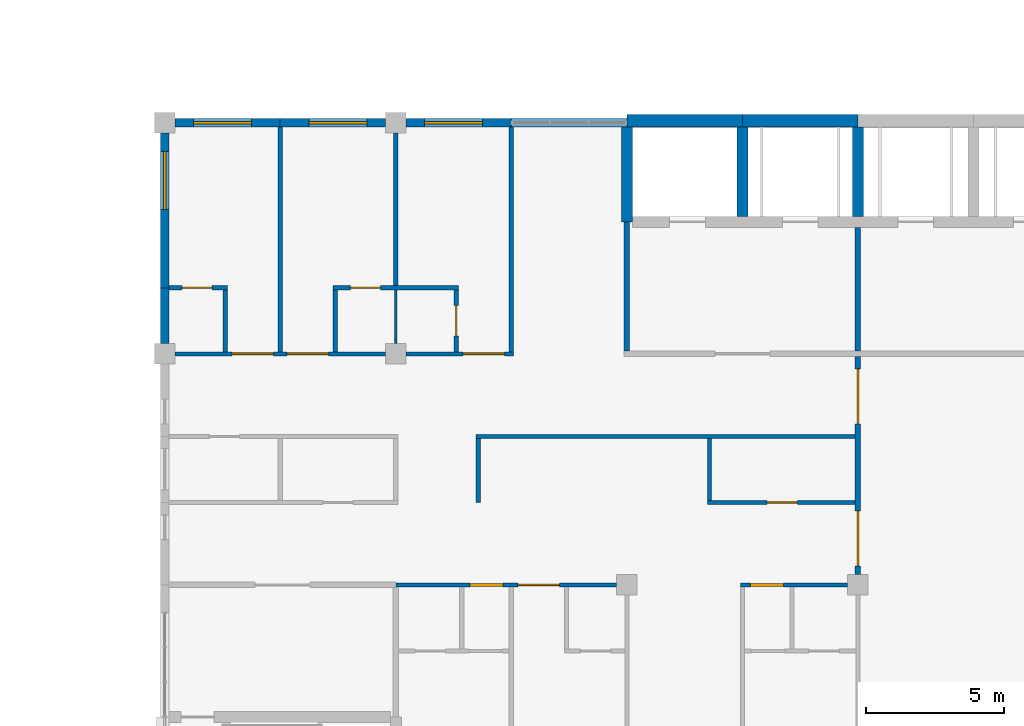
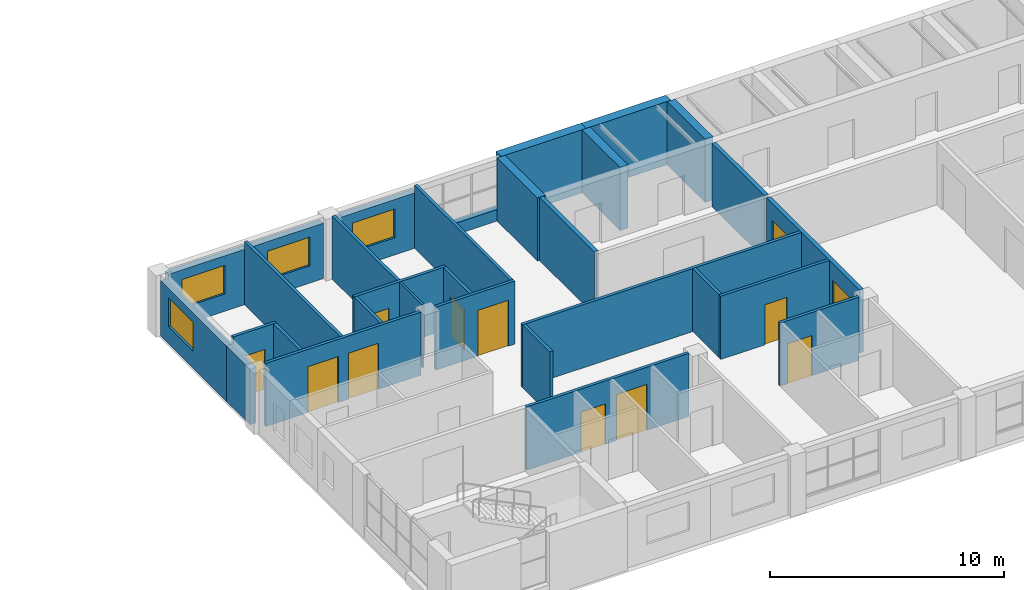
# One storey, part 33 of 48: 31 walls, 12 doors, 4 windows, 16 openings.
"""IFC4 building model written with IfcOpenShell, lengths in metres."""

from ifc_helpers import new_model, si_unit, direction, frame, frame_2d, origin, place, context, subcontext, project, spatial, rectangle, extrude, material, layer, layer_set, type_object, element, fill, save


model = new_model("IFC4")

# Units and contexts
model_context = context("Model", 3, precision=1e-05, world=origin(), true_north=direction((0.0, 1.0)))
body_context = subcontext(model_context, "Body", "Model", "MODEL_VIEW")
ifc_project = project(units=[si_unit("LENGTHUNIT", "METRE"), si_unit("AREAUNIT", "SQUARE_METRE"), si_unit("VOLUMEUNIT", "CUBIC_METRE"), si_unit("PLANEANGLEUNIT", "RADIAN"), si_unit("MASSUNIT", "GRAM", prefix="KILO")], contexts=[model_context])

# Site, building, storey
site_placement = place(None, origin())
site = spatial("IfcSite", under=ifc_project, at=site_placement, CompositionType="ELEMENT")
building_placement = place(site_placement, origin())
building = spatial("IfcBuilding", under=site, at=building_placement, Name="Yavir Park General Hospital", CompositionType="ELEMENT")
storey_placement = place(building_placement, frame((0.0, 0.0, 26.10009765625)))
storey = spatial("IfcBuildingStorey", under=building, at=storey_placement, Name="L06", CompositionType="ELEMENT", Elevation=26.10009765625)

# Wall
ifc_material_1 = material(Name="Double gypsum board fire partition on steel studs", Category="steel")
ifc_layer_1 = layer(ifc_material_1, 0.199951171875)
ifc_layer_set_1 = layer_set([ifc_layer_1], Name="Double gypsum board fire partition on steel studs")
wall_type_1 = type_object("IfcWallType", Name="Fire-rated partition 200, EI 60", PredefinedType="PARTITIONING", material=ifc_layer_set_1)
wall_1_placement = place(storey_placement, frame((117.60009765625, 16.89990234375, 0.0), z_axis=(0.0, 0.0, 1.0), x_axis=(0.0, 1.0, 0.0)))
element("IfcWall", 1, at=wall_1_placement, inside=storey, type_object=wall_type_1, Name="FP20 L06-225", PredefinedType="PARTITIONING", context=body_context, shape_type="SweptSolid", body=[
    extrude(rectangle(XDim=4.7001953125, YDim=0.199951171875, at=frame_2d((2.35009765625, 0.0))), origin(), (0.0, 0.0, 1.0), 3.2998046875),
])

# Wall, openings, doors
wall_2_placement = place(storey_placement, frame((126.0, 8.77490234375, 0.0), z_axis=(0.0, 0.0, 1.0), x_axis=(0.0, 1.0, 0.0)))
wall_2 = element("IfcWall", 2, at=wall_2_placement, inside=storey, type_object=wall_type_1, Name="FP20 L06-232", PredefinedType="PARTITIONING", context=body_context, shape_type="SweptSolid", body=[
    extrude(rectangle(XDim=7.925048828125, YDim=0.199951171875, at=frame_2d((3.96240234375, 0.0))), origin(), (0.0, 0.0, 1.0), 3.2998046875),
])
opening_1_placement = place(wall_2_placement, frame((0.3125, 0.0, 0.0)))
opening_1 = element("IfcOpeningElement", 3, at=opening_1_placement, cuts=wall_2, Name="Opening L06.D141", PredefinedType="OPENING", context=body_context, shape_type="SweptSolid", body=[
    extrude(rectangle(XDim=2.0, YDim=2.39990234375, at=frame_2d((1.0, 1.199951171875))), frame((0.0, 0.10986328125, 0.0), z_axis=(0.0, -1.0, 0.0), x_axis=(1.0, 0.0, 0.0)), (0.0, 0.0, 1.0), 0.219970703125),
])
opening_2_placement = place(wall_2_placement, frame((5.47509765625, 0.0, 0.0)))
opening_2 = element("IfcOpeningElement", 4, at=opening_2_placement, cuts=wall_2, Name="Opening L06.D142", PredefinedType="OPENING", context=body_context, shape_type="SweptSolid", body=[
    extrude(rectangle(XDim=2.0, YDim=2.39990234375, at=frame_2d((1.0, 1.199951171875))), frame((0.0, 0.10986328125, 0.0), z_axis=(0.0, -1.0, 0.0), x_axis=(1.0, 0.0, 0.0)), (0.0, 0.0, 1.0), 0.219970703125),
])
ifc_material_2 = material(Name="Steel frame, fire-resisting leaves with vision panels", Category="steel")
door_type_1 = type_object("IfcDoorType", Name="Double fire door with vision panels 2000 x 2400, EI 60", OperationType="DOUBLE_DOOR_SINGLE_SWING", PredefinedType="DOOR", material=ifc_material_2)
door_1_placement = place(opening_1_placement, origin())
door_1 = element("IfcDoor", 5, at=door_1_placement, inside=storey, type_object=door_type_1, Name="L06.D141", OperationType="SINGLE_SWING_LEFT", OverallHeight=2.39990234375, OverallWidth=2.0, PredefinedType="DOOR", context=body_context, shape_type="SweptSolid", body=[
    extrude(rectangle(XDim=2.0, YDim=2.39990234375, at=frame_2d((1.0, 1.199951171875))), frame((0.0, 0.030029296875, 0.0), z_axis=(0.0, -1.0, 0.0), x_axis=(1.0, 0.0, 0.0)), (0.0, 0.0, 1.0), 0.06005859375),
])
fill(opening_1, door_1)
door_2_placement = place(opening_2_placement, origin())
door_2 = element("IfcDoor", 6, at=door_2_placement, inside=storey, type_object=door_type_1, Name="L06.D142", OperationType="SINGLE_SWING_RIGHT", OverallHeight=2.39990234375, OverallWidth=2.0, PredefinedType="DOOR", context=body_context, shape_type="SweptSolid", body=[
    extrude(rectangle(XDim=2.0, YDim=2.39990234375, at=frame_2d((1.0, 1.199951171875))), frame((0.0, 0.030029296875, 0.0), z_axis=(0.0, -1.0, 0.0), x_axis=(1.0, 0.0, 0.0)), (0.0, 0.0, 1.0), 0.06005859375),
])
fill(opening_2, door_2)

# Walls
wall_3_placement = place(storey_placement, frame((126.0, 16.89990234375, 0.0), z_axis=(0.0, 0.0, 1.0), x_axis=(0.0, 1.0, 0.0)))
element("IfcWall", 7, at=wall_3_placement, inside=storey, type_object=wall_type_1, Name="FP20 L06-233", PredefinedType="PARTITIONING", context=body_context, shape_type="SweptSolid", body=[
    extrude(rectangle(XDim=4.5, YDim=0.199951171875, at=frame_2d((2.25, 0.0))), origin(), (0.0, 0.0, 1.0), 3.2998046875),
])
ifc_material_3 = material(Name="Gypsum board partition on steel studs", Category="steel")
ifc_layer_2 = layer(ifc_material_3, 0.10009765625)
ifc_layer_set_2 = layer_set([ifc_layer_2], Name="Gypsum board partition on steel studs")
wall_type_2 = type_object("IfcWallType", Name="Gypsum board partition 100", PredefinedType="PARTITIONING", material=ifc_layer_set_2)
wall_4_placement = place(storey_placement, frame((109.199951171875, 17.175048828125, 0.0), z_axis=(0.0, 0.0, 1.0), x_axis=(0.0, 1.0, 0.0)))
element("IfcWall", 8, at=wall_4_placement, inside=storey, type_object=wall_type_2, Name="P10 L06-216", PredefinedType="PARTITIONING", context=body_context, shape_type="SweptSolid", body=[
    extrude(rectangle(XDim=1.949951171875, YDim=0.10009765625, at=frame_2d((0.97509765625, 0.0))), origin(), (0.0, 0.0, 1.0), 3.2998046875),
])

# Wall, openings, doors
ifc_material_4 = material(Name="Gypsum board partition on steel studs", Category="steel")
ifc_layer_3 = layer(ifc_material_4, 0.14990234375)
ifc_layer_set_3 = layer_set([ifc_layer_3], Name="Gypsum board partition on steel studs")
wall_type_3 = type_object("IfcWallType", Name="Gypsum board partition 150", PredefinedType="PARTITIONING", material=ifc_layer_set_3)
wall_5_placement = place(storey_placement, frame((109.199951171875, 8.39990234375, 0.0), z_axis=(0.0, 0.0, 1.0), x_axis=(1.0, 0.0, 0.0)))
wall_5 = element("IfcWall", 9, at=wall_5_placement, inside=storey, type_object=wall_type_3, Name="P15 L06-019", PredefinedType="PARTITIONING", context=body_context, shape_type="SweptSolid", body=[
    extrude(rectangle(XDim=8.025146484375, YDim=0.14990234375, at=frame_2d((4.0126953125, 0.0))), origin(), (0.0, 0.0, 1.0), 3.2998046875),
])
opening_3_placement = place(wall_5_placement, frame((2.699951171875, 0.0, 0.0)))
opening_3 = element("IfcOpeningElement", 10, at=opening_3_placement, cuts=wall_5, Name="Opening L06.D026", PredefinedType="OPENING", context=body_context, shape_type="SweptSolid", body=[
    extrude(rectangle(XDim=1.199951171875, YDim=2.10009765625, at=frame_2d((0.60009765625, 1.050048828125))), frame((0.0, 0.0849609375, 0.0), z_axis=(0.0, -1.0, 0.0), x_axis=(1.0, 0.0, 0.0)), (0.0, 0.0, 1.0), 0.169921875),
])
opening_4_placement = place(wall_5_placement, frame((4.449951171875, 0.0, 0.0)))
opening_4 = element("IfcOpeningElement", 11, at=opening_4_placement, cuts=wall_5, Name="Opening L06.D027", PredefinedType="OPENING", context=body_context, shape_type="SweptSolid", body=[
    extrude(rectangle(XDim=1.5, YDim=2.39990234375, at=frame_2d((0.75, 1.199951171875))), frame((0.0, 0.0849609375, 0.0), z_axis=(0.0, -1.0, 0.0), x_axis=(1.0, 0.0, 0.0)), (0.0, 0.0, 1.0), 0.169921875),
])
ifc_material_5 = material(Name="Solid-core timber leaves, push plates, kick plates", Category="wood")
door_type_2 = type_object("IfcDoorType", Name="Bed door, unequal leaves 1500 x 2400", OperationType="DOUBLE_DOOR_SINGLE_SWING", PredefinedType="DOOR", material=ifc_material_5)
door_3_placement = place(opening_4_placement, origin())
door_3 = element("IfcDoor", 12, at=door_3_placement, inside=storey, type_object=door_type_2, Name="L06.D027", OperationType="SINGLE_SWING_LEFT", OverallHeight=2.39990234375, OverallWidth=1.5, PredefinedType="DOOR", context=body_context, shape_type="SweptSolid", body=[
    extrude(rectangle(XDim=1.5, YDim=2.39990234375, at=frame_2d((0.75, 1.199951171875))), frame((0.0, 0.030029296875, 0.0), z_axis=(0.0, -1.0, 0.0), x_axis=(1.0, 0.0, 0.0)), (0.0, 0.0, 1.0), 0.06005859375),
])
fill(opening_4, door_3)
ifc_material_6 = material(Name="Sealed steel door leaf, compression seals", Category="steel")
door_type_3 = type_object("IfcDoorType", Name="Isolation airlock door 1200 x 2100", OperationType="SINGLE_SWING_LEFT", PredefinedType="DOOR", material=ifc_material_6)
door_4_placement = place(opening_3_placement, origin())
door_4 = element("IfcDoor", 13, at=door_4_placement, inside=storey, type_object=door_type_3, Name="L06.D026", OperationType="SINGLE_SWING_LEFT", OverallHeight=2.10009765625, OverallWidth=1.199951171875, PredefinedType="DOOR", context=body_context, shape_type="SweptSolid", body=[
    extrude(rectangle(XDim=1.199951171875, YDim=2.10009765625, at=frame_2d((0.60009765625, 1.050048828125))), frame((0.0, 0.050048828125, 0.0), z_axis=(0.0, -1.0, 0.0), x_axis=(1.0, 0.0, 0.0)), (0.0, 0.0, 1.0), 0.10009765625),
])
fill(opening_3, door_4)

# Wall, opening, door
wall_6_placement = place(storey_placement, frame((121.72509765625, 8.39990234375, 0.0), z_axis=(0.0, 0.0, 1.0), x_axis=(1.0, 0.0, 0.0)))
wall_6 = element("IfcWall", 14, at=wall_6_placement, inside=storey, type_object=wall_type_3, Name="P15 L06-020", PredefinedType="PARTITIONING", context=body_context, shape_type="SweptSolid", body=[
    extrude(rectangle(XDim=3.89990234375, YDim=0.14990234375, at=frame_2d((1.949951171875, 0.0))), origin(), (0.0, 0.0, 1.0), 3.2998046875),
])
opening_5_placement = place(wall_6_placement, frame((0.375, 0.0, 0.0)))
opening_5 = element("IfcOpeningElement", 15, at=opening_5_placement, cuts=wall_6, Name="Opening L06.D028", PredefinedType="OPENING", context=body_context, shape_type="SweptSolid", body=[
    extrude(rectangle(XDim=1.199951171875, YDim=2.10009765625, at=frame_2d((0.60009765625, 1.050048828125))), frame((0.0, 0.0849609375, 0.0), z_axis=(0.0, -1.0, 0.0), x_axis=(1.0, 0.0, 0.0)), (0.0, 0.0, 1.0), 0.169921875),
])
door_5_placement = place(opening_5_placement, origin())
door_5 = element("IfcDoor", 16, at=door_5_placement, inside=storey, type_object=door_type_3, Name="L06.D028", OperationType="SINGLE_SWING_LEFT", OverallHeight=2.10009765625, OverallWidth=1.199951171875, PredefinedType="DOOR", context=body_context, shape_type="SweptSolid", body=[
    extrude(rectangle(XDim=1.199951171875, YDim=2.10009765625, at=frame_2d((0.60009765625, 1.050048828125))), frame((0.0, 0.050048828125, 0.0), z_axis=(0.0, -1.0, 0.0), x_axis=(1.0, 0.0, 0.0)), (0.0, 0.0, 1.0), 0.10009765625),
])
fill(opening_5, door_5)

wall_7_placement = place(storey_placement, frame((120.52490234375, 11.39990234375, 0.0), z_axis=(0.0, 0.0, 1.0), x_axis=(1.0, 0.0, 0.0)))
wall_7 = element("IfcWall", 17, at=wall_7_placement, inside=storey, type_object=wall_type_3, Name="P15 L06-027", PredefinedType="PARTITIONING", context=body_context, shape_type="SweptSolid", body=[
    extrude(rectangle(XDim=5.375, YDim=0.14990234375, at=frame_2d((2.6875, 0.0))), origin(), (0.0, 0.0, 1.0), 3.2998046875),
])
opening_6_placement = place(wall_7_placement, frame((2.175048828125, 0.0, 0.0)))
opening_6 = element("IfcOpeningElement", 18, at=opening_6_placement, cuts=wall_7, Name="Opening L06.D036", PredefinedType="OPENING", context=body_context, shape_type="SweptSolid", body=[
    extrude(rectangle(XDim=1.10009765625, YDim=2.10009765625, at=frame_2d((0.550048828125, 1.050048828125))), frame((0.0, 0.0849609375, 0.0), z_axis=(0.0, -1.0, 0.0), x_axis=(1.0, 0.0, 0.0)), (0.0, 0.0, 1.0), 0.169921875),
])
ifc_material_7 = material(Name="Hollow metal frame, solid-core timber leaf", Category="wood")
door_type_4 = type_object("IfcDoorType", Name="Single swing door 1100 x 2100", OperationType="SINGLE_SWING_LEFT", PredefinedType="DOOR", material=ifc_material_7)
door_6_placement = place(opening_6_placement, origin())
door_6 = element("IfcDoor", 19, at=door_6_placement, inside=storey, type_object=door_type_4, Name="L06.D036", OperationType="SINGLE_SWING_RIGHT", OverallHeight=2.10009765625, OverallWidth=1.10009765625, PredefinedType="DOOR", context=body_context, shape_type="SweptSolid", body=[
    extrude(rectangle(XDim=1.10009765625, YDim=2.10009765625, at=frame_2d((0.550048828125, 1.050048828125))), frame((0.0, 0.02490234375, 0.0), z_axis=(0.0, -1.0, 0.0), x_axis=(1.0, 0.0, 0.0)), (0.0, 0.0, 1.0), 0.050048828125),
])
fill(opening_6, door_6)

# Wall
wall_8_placement = place(storey_placement, frame((112.125, 13.800048828125, 0.0), z_axis=(0.0, 0.0, 1.0), x_axis=(1.0, 0.0, 0.0)))
element("IfcWall", 20, at=wall_8_placement, inside=storey, type_object=wall_type_3, Name="P15 L06-034", PredefinedType="PARTITIONING", context=body_context, shape_type="SweptSolid", body=[
    extrude(rectangle(XDim=13.77490234375, YDim=0.14990234375, at=frame_2d((6.887451171875, 0.0))), origin(), (0.0, 0.0, 1.0), 3.2998046875),
])

# Wall, openings, doors
wall_9_placement = place(storey_placement, frame((101.175048828125, 16.800048828125, 0.0), z_axis=(0.0, 0.0, 1.0), x_axis=(1.0, 0.0, 0.0)))
wall_9 = element("IfcWall", 21, at=wall_9_placement, inside=storey, type_object=wall_type_3, Name="P15 L06-042", PredefinedType="PARTITIONING", context=body_context, shape_type="SweptSolid", body=[
    extrude(rectangle(XDim=7.64990234375, YDim=0.14990234375, at=frame_2d((3.824951171875, 0.0))), origin(), (0.0, 0.0, 1.0), 3.2998046875),
])
opening_7_placement = place(wall_9_placement, frame((2.074951171875, 0.0, 0.0)))
opening_7 = element("IfcOpeningElement", 22, at=opening_7_placement, cuts=wall_9, Name="Opening L06.D045", PredefinedType="OPENING", context=body_context, shape_type="SweptSolid", body=[
    extrude(rectangle(XDim=1.5, YDim=2.39990234375, at=frame_2d((0.75, 1.199951171875))), frame((0.0, 0.0849609375, 0.0), z_axis=(0.0, -1.0, 0.0), x_axis=(1.0, 0.0, 0.0)), (0.0, 0.0, 1.0), 0.169921875),
])
opening_8_placement = place(wall_9_placement, frame((4.074951171875, 0.0, 0.0)))
opening_8 = element("IfcOpeningElement", 23, at=opening_8_placement, cuts=wall_9, Name="Opening L06.D046", PredefinedType="OPENING", context=body_context, shape_type="SweptSolid", body=[
    extrude(rectangle(XDim=1.5, YDim=2.39990234375, at=frame_2d((0.75, 1.199951171875))), frame((0.0, 0.0849609375, 0.0), z_axis=(0.0, -1.0, 0.0), x_axis=(1.0, 0.0, 0.0)), (0.0, 0.0, 1.0), 0.169921875),
])
door_7_placement = place(opening_7_placement, origin())
door_7 = element("IfcDoor", 24, at=door_7_placement, inside=storey, type_object=door_type_2, Name="L06.D045", OperationType="SINGLE_SWING_RIGHT", OverallHeight=2.39990234375, OverallWidth=1.5, PredefinedType="DOOR", context=body_context, shape_type="SweptSolid", body=[
    extrude(rectangle(XDim=1.5, YDim=2.39990234375, at=frame_2d((0.75, 1.199951171875))), frame((0.0, 0.030029296875, 0.0), z_axis=(0.0, -1.0, 0.0), x_axis=(1.0, 0.0, 0.0)), (0.0, 0.0, 1.0), 0.06005859375),
])
fill(opening_7, door_7)
door_8_placement = place(opening_8_placement, origin())
door_8 = element("IfcDoor", 25, at=door_8_placement, inside=storey, type_object=door_type_2, Name="L06.D046", OperationType="SINGLE_SWING_RIGHT", OverallHeight=2.39990234375, OverallWidth=1.5, PredefinedType="DOOR", context=body_context, shape_type="SweptSolid", body=[
    extrude(rectangle(XDim=1.5, YDim=2.39990234375, at=frame_2d((0.75, 1.199951171875))), frame((0.0, 0.030029296875, 0.0), z_axis=(0.0, -1.0, 0.0), x_axis=(1.0, 0.0, 0.0)), (0.0, 0.0, 1.0), 0.06005859375),
])
fill(opening_8, door_8)

# Wall, opening, door
wall_10_placement = place(storey_placement, frame((109.574951171875, 16.800048828125, 0.0), z_axis=(0.0, 0.0, 1.0), x_axis=(1.0, 0.0, 0.0)))
wall_10 = element("IfcWall", 26, at=wall_10_placement, inside=storey, type_object=wall_type_3, Name="P15 L06-043", PredefinedType="PARTITIONING", context=body_context, shape_type="SweptSolid", body=[
    extrude(rectangle(XDim=3.900146484375, YDim=0.14990234375, at=frame_2d((1.9501953125, 0.0))), origin(), (0.0, 0.0, 1.0), 3.2998046875),
])
opening_9_placement = place(wall_10_placement, frame((2.074951171875, 0.0, 0.0)))
opening_9 = element("IfcOpeningElement", 27, at=opening_9_placement, cuts=wall_10, Name="Opening L06.D047", PredefinedType="OPENING", context=body_context, shape_type="SweptSolid", body=[
    extrude(rectangle(XDim=1.5, YDim=2.39990234375, at=frame_2d((0.75, 1.199951171875))), frame((0.0, 0.0849609375, 0.0), z_axis=(0.0, -1.0, 0.0), x_axis=(1.0, 0.0, 0.0)), (0.0, 0.0, 1.0), 0.169921875),
])
door_9_placement = place(opening_9_placement, origin())
door_9 = element("IfcDoor", 28, at=door_9_placement, inside=storey, type_object=door_type_2, Name="L06.D047", OperationType="SINGLE_SWING_RIGHT", OverallHeight=2.39990234375, OverallWidth=1.5, PredefinedType="DOOR", context=body_context, shape_type="SweptSolid", body=[
    extrude(rectangle(XDim=1.5, YDim=2.39990234375, at=frame_2d((0.75, 1.199951171875))), frame((0.0, 0.030029296875, 0.0), z_axis=(0.0, -1.0, 0.0), x_axis=(1.0, 0.0, 0.0)), (0.0, 0.0, 1.0), 0.06005859375),
])
fill(opening_9, door_9)

wall_11_placement = place(storey_placement, frame((100.949951171875, 19.199951171875, 0.0), z_axis=(0.0, 0.0, 1.0), x_axis=(1.0, 0.0, 0.0)))
wall_11 = element("IfcWall", 29, at=wall_11_placement, inside=storey, type_object=wall_type_3, Name="P15 L06-050", PredefinedType="PARTITIONING", context=body_context, shape_type="SweptSolid", body=[
    extrude(rectangle(XDim=2.125, YDim=0.14990234375, at=frame_2d((1.0625, 0.0))), origin(), (0.0, 0.0, 1.0), 3.2998046875),
])
opening_10_placement = place(wall_11_placement, frame((0.47509765625, 0.0, 0.0)))
opening_10 = element("IfcOpeningElement", 30, at=opening_10_placement, cuts=wall_11, Name="Opening L06.D054", PredefinedType="OPENING", context=body_context, shape_type="SweptSolid", body=[
    extrude(rectangle(XDim=1.10009765625, YDim=2.10009765625, at=frame_2d((0.550048828125, 1.050048828125))), frame((0.0, 0.0849609375, 0.0), z_axis=(0.0, -1.0, 0.0), x_axis=(1.0, 0.0, 0.0)), (0.0, 0.0, 1.0), 0.169921875),
])
door_10_placement = place(opening_10_placement, origin())
door_10 = element("IfcDoor", 31, at=door_10_placement, inside=storey, type_object=door_type_4, Name="L06.D054", OperationType="SINGLE_SWING_RIGHT", OverallHeight=2.10009765625, OverallWidth=1.10009765625, PredefinedType="DOOR", context=body_context, shape_type="SweptSolid", body=[
    extrude(rectangle(XDim=1.10009765625, YDim=2.10009765625, at=frame_2d((0.550048828125, 1.050048828125))), frame((0.0, 0.02490234375, 0.0), z_axis=(0.0, -1.0, 0.0), x_axis=(1.0, 0.0, 0.0)), (0.0, 0.0, 1.0), 0.050048828125),
])
fill(opening_10, door_10)

wall_12_placement = place(storey_placement, frame((106.925048828125, 19.199951171875, 0.0), z_axis=(0.0, 0.0, 1.0), x_axis=(1.0, 0.0, 0.0)))
wall_12 = element("IfcWall", 32, at=wall_12_placement, inside=storey, type_object=wall_type_3, Name="P15 L06-051", PredefinedType="PARTITIONING", context=body_context, shape_type="SweptSolid", body=[
    extrude(rectangle(XDim=4.550048828125, YDim=0.14990234375, at=frame_2d((2.27490234375, 0.0))), origin(), (0.0, 0.0, 1.0), 3.2998046875),
])
opening_11_placement = place(wall_12_placement, frame((0.625, 0.0, 0.0)))
opening_11 = element("IfcOpeningElement", 33, at=opening_11_placement, cuts=wall_12, Name="Opening L06.D055", PredefinedType="OPENING", context=body_context, shape_type="SweptSolid", body=[
    extrude(rectangle(XDim=1.10009765625, YDim=2.10009765625, at=frame_2d((0.550048828125, 1.050048828125))), frame((0.0, 0.0849609375, 0.0), z_axis=(0.0, -1.0, 0.0), x_axis=(1.0, 0.0, 0.0)), (0.0, 0.0, 1.0), 0.169921875),
])
door_11_placement = place(opening_11_placement, origin())
door_11 = element("IfcDoor", 34, at=door_11_placement, inside=storey, type_object=door_type_4, Name="L06.D055", OperationType="SINGLE_SWING_LEFT", OverallHeight=2.10009765625, OverallWidth=1.10009765625, PredefinedType="DOOR", context=body_context, shape_type="SweptSolid", body=[
    extrude(rectangle(XDim=1.10009765625, YDim=2.10009765625, at=frame_2d((0.550048828125, 1.050048828125))), frame((0.0, 0.02490234375, 0.0), z_axis=(0.0, -1.0, 0.0), x_axis=(1.0, 0.0, 0.0)), (0.0, 0.0, 1.0), 0.050048828125),
])
fill(opening_11, door_11)

# Walls
wall_13_placement = place(storey_placement, frame((103.0, 16.875, 0.0), z_axis=(0.0, 0.0, 1.0), x_axis=(0.0, 1.0, 0.0)))
element("IfcWall", 35, at=wall_13_placement, inside=storey, type_object=wall_type_3, Name="P15 L06-209", PredefinedType="PARTITIONING", context=body_context, shape_type="SweptSolid", body=[
    extrude(rectangle(XDim=2.25, YDim=0.14990234375, at=frame_2d((1.125, 0.0))), origin(), (0.0, 0.0, 1.0), 3.2998046875),
])
wall_14_placement = place(storey_placement, frame((105.0, 16.875, 0.0), z_axis=(0.0, 0.0, 1.0), x_axis=(0.0, 1.0, 0.0)))
element("IfcWall", 36, at=wall_14_placement, inside=storey, type_object=wall_type_3, Name="P15 L06-211", PredefinedType="PARTITIONING", context=body_context, shape_type="SweptSolid", body=[
    extrude(rectangle(XDim=8.175048828125, YDim=0.14990234375, at=frame_2d((4.08740234375, 0.0))), origin(), (0.0, 0.0, 1.0), 3.2998046875),
])
wall_15_placement = place(storey_placement, frame((107.0, 16.875, 0.0), z_axis=(0.0, 0.0, 1.0), x_axis=(0.0, 1.0, 0.0)))
element("IfcWall", 37, at=wall_15_placement, inside=storey, type_object=wall_type_3, Name="P15 L06-212", PredefinedType="PARTITIONING", context=body_context, shape_type="SweptSolid", body=[
    extrude(rectangle(XDim=2.25, YDim=0.14990234375, at=frame_2d((1.125, 0.0))), origin(), (0.0, 0.0, 1.0), 3.2998046875),
])
wall_16_placement = place(storey_placement, frame((109.199951171875, 19.27490234375, 0.0), z_axis=(0.0, 0.0, 1.0), x_axis=(0.0, 1.0, 0.0)))
element("IfcWall", 38, at=wall_16_placement, inside=storey, type_object=wall_type_3, Name="P15 L06-217", PredefinedType="PARTITIONING", context=body_context, shape_type="SweptSolid", body=[
    extrude(rectangle(XDim=5.550048828125, YDim=0.14990234375, at=frame_2d((2.77490234375, 0.0))), origin(), (0.0, 0.0, 1.0), 3.2998046875),
])

# Wall, opening, door
wall_17_placement = place(storey_placement, frame((111.39990234375, 16.875, 0.0), z_axis=(0.0, 0.0, 1.0), x_axis=(0.0, 1.0, 0.0)))
wall_17 = element("IfcWall", 39, at=wall_17_placement, inside=storey, type_object=wall_type_3, Name="P15 L06-218", PredefinedType="PARTITIONING", context=body_context, shape_type="SweptSolid", body=[
    extrude(rectangle(XDim=2.25, YDim=0.14990234375, at=frame_2d((1.125, 0.0))), origin(), (0.0, 0.0, 1.0), 3.2998046875),
])
opening_12_placement = place(wall_17_placement, frame((0.574951171875, 0.0, 0.0)))
opening_12 = element("IfcOpeningElement", 40, at=opening_12_placement, cuts=wall_17, Name="Opening L06.D140", PredefinedType="OPENING", context=body_context, shape_type="SweptSolid", body=[
    extrude(rectangle(XDim=1.10009765625, YDim=2.10009765625, at=frame_2d((0.550048828125, 1.050048828125))), frame((0.0, 0.0849609375, 0.0), z_axis=(0.0, -1.0, 0.0), x_axis=(1.0, 0.0, 0.0)), (0.0, 0.0, 1.0), 0.169921875),
])
door_12_placement = place(opening_12_placement, origin())
door_12 = element("IfcDoor", 41, at=door_12_placement, inside=storey, type_object=door_type_4, Name="L06.D140", OperationType="SINGLE_SWING_LEFT", OverallHeight=2.10009765625, OverallWidth=1.10009765625, PredefinedType="DOOR", context=body_context, shape_type="SweptSolid", body=[
    extrude(rectangle(XDim=1.10009765625, YDim=2.10009765625, at=frame_2d((0.550048828125, 1.050048828125))), frame((0.0, 0.02490234375, 0.0), z_axis=(0.0, -1.0, 0.0), x_axis=(1.0, 0.0, 0.0)), (0.0, 0.0, 1.0), 0.050048828125),
])
fill(opening_12, door_12)

# Walls
wall_18_placement = place(storey_placement, frame((112.199951171875, 11.39990234375, 0.0), z_axis=(0.0, 0.0, 1.0), x_axis=(0.0, 1.0, 0.0)))
element("IfcWall", 42, at=wall_18_placement, inside=storey, type_object=wall_type_3, Name="P15 L06-220", PredefinedType="PARTITIONING", context=body_context, shape_type="SweptSolid", body=[
    extrude(rectangle(XDim=2.3251953125, YDim=0.14990234375, at=frame_2d((1.16259765625, 0.0))), origin(), (0.0, 0.0, 1.0), 3.2998046875),
])
wall_19_placement = place(storey_placement, frame((113.39990234375, 16.875, 0.0), z_axis=(0.0, 0.0, 1.0), x_axis=(0.0, 1.0, 0.0)))
element("IfcWall", 43, at=wall_19_placement, inside=storey, type_object=wall_type_3, Name="P15 L06-222", PredefinedType="PARTITIONING", context=body_context, shape_type="SweptSolid", body=[
    extrude(rectangle(XDim=8.175048828125, YDim=0.14990234375, at=frame_2d((4.08740234375, 0.0))), origin(), (0.0, 0.0, 1.0), 3.2998046875),
])
wall_20_placement = place(storey_placement, frame((120.60009765625, 11.47509765625, 0.0), z_axis=(0.0, 0.0, 1.0), x_axis=(0.0, 1.0, 0.0)))
element("IfcWall", 44, at=wall_20_placement, inside=storey, type_object=wall_type_3, Name="P15 L06-227", PredefinedType="PARTITIONING", context=body_context, shape_type="SweptSolid", body=[
    extrude(rectangle(XDim=2.25, YDim=0.14990234375, at=frame_2d((1.125, 0.0))), origin(), (0.0, 0.0, 1.0), 3.2998046875),
])

# Wall, opening, window
ifc_material_8 = material(Name="Autoclaved aerated block, mineral wool and ochre mineral render")
ifc_layer_4 = layer(ifc_material_8, 0.300048828125)
ifc_layer_set_4 = layer_set([ifc_layer_4], Name="Autoclaved aerated block, mineral wool and ochre mineral render")
wall_type_4 = type_object("IfcWallType", Name="Ochre render ward wall 300, E 30", PredefinedType="SOLIDWALL", material=ifc_layer_set_4)
wall_21_placement = place(storey_placement, frame((101.175048828125, 25.199951171875, 0.0), z_axis=(0.0, 0.0, 1.0), x_axis=(1.0, 0.0, 0.0)))
wall_21 = element("IfcWall", 45, at=wall_21_placement, inside=storey, type_object=wall_type_4, Name="XW7 L06-038", PredefinedType="SOLIDWALL", context=body_context, shape_type="SweptSolid", body=[
    extrude(rectangle(XDim=3.824951171875, YDim=0.300048828125, at=frame_2d((1.91259765625, 0.0))), origin(), (0.0, 0.0, 1.0), 2.89990234375),
])
opening_13_placement = place(wall_21_placement, frame((0.675048828125, 0.0, 0.89990234375)))
opening_13 = element("IfcOpeningElement", 46, at=opening_13_placement, cuts=wall_21, Name="Opening WAR", PredefinedType="OPENING", context=body_context, shape_type="SweptSolid", body=[
    extrude(rectangle(XDim=2.10009765625, YDim=1.5, at=frame_2d((1.050048828125, 0.75))), frame((0.0, 0.159912109375, 0.0), z_axis=(0.0, -1.0, 0.0), x_axis=(1.0, 0.0, 0.0)), (0.0, 0.0, 1.0), 0.320068359375),
])
ifc_material_9 = material(Name="Aluminium frame, tilt-and-turn sash with opening restrictor, double glazed unit", Category="aluminium")
window_type = type_object("IfcWindowType", Name="Ward window, restricted opening 2100 x 1500", PartitioningType="DOUBLE_PANEL_VERTICAL", PredefinedType="WINDOW", material=ifc_material_9)
window_1_placement = place(opening_13_placement, origin())
window_1 = element("IfcWindow", 47, at=window_1_placement, inside=storey, type_object=window_type, Name="WAR L06-014", OverallHeight=1.5, OverallWidth=2.10009765625, PartitioningType="DOUBLE_PANEL_VERTICAL", PredefinedType="WINDOW", context=body_context, shape_type="SweptSolid", body=[
    extrude(rectangle(XDim=2.10009765625, YDim=1.5, at=frame_2d((1.050048828125, 0.75))), frame((0.0, 0.050048828125, 0.0), z_axis=(0.0, -1.0, 0.0), x_axis=(1.0, 0.0, 0.0)), (0.0, 0.0, 1.0), 0.10009765625),
])
fill(opening_13, window_1)

wall_22_placement = place(storey_placement, frame((105.0, 25.199951171875, 0.0), z_axis=(0.0, 0.0, 1.0), x_axis=(1.0, 0.0, 0.0)))
wall_22 = element("IfcWall", 48, at=wall_22_placement, inside=storey, type_object=wall_type_4, Name="XW7 L06-039", PredefinedType="SOLIDWALL", context=body_context, shape_type="SweptSolid", body=[
    extrude(rectangle(XDim=3.824951171875, YDim=0.300048828125, at=frame_2d((1.91259765625, 0.0))), origin(), (0.0, 0.0, 1.0), 2.89990234375),
])
opening_14_placement = place(wall_22_placement, frame((1.050048828125, 0.0, 0.89990234375)))
opening_14 = element("IfcOpeningElement", 49, at=opening_14_placement, cuts=wall_22, Name="Opening WAR", PredefinedType="OPENING", context=body_context, shape_type="SweptSolid", body=[
    extrude(rectangle(XDim=2.10009765625, YDim=1.5, at=frame_2d((1.050048828125, 0.75))), frame((0.0, 0.159912109375, 0.0), z_axis=(0.0, -1.0, 0.0), x_axis=(1.0, 0.0, 0.0)), (0.0, 0.0, 1.0), 0.320068359375),
])
window_2_placement = place(opening_14_placement, origin())
window_2 = element("IfcWindow", 50, at=window_2_placement, inside=storey, type_object=window_type, Name="WAR L06-015", OverallHeight=1.5, OverallWidth=2.10009765625, PartitioningType="DOUBLE_PANEL_VERTICAL", PredefinedType="WINDOW", context=body_context, shape_type="SweptSolid", body=[
    extrude(rectangle(XDim=2.10009765625, YDim=1.5, at=frame_2d((1.050048828125, 0.75))), frame((0.0, 0.050048828125, 0.0), z_axis=(0.0, -1.0, 0.0), x_axis=(1.0, 0.0, 0.0)), (0.0, 0.0, 1.0), 0.10009765625),
])
fill(opening_14, window_2)

wall_23_placement = place(storey_placement, frame((109.574951171875, 25.199951171875, 0.0), z_axis=(0.0, 0.0, 1.0), x_axis=(1.0, 0.0, 0.0)))
wall_23 = element("IfcWall", 51, at=wall_23_placement, inside=storey, type_object=wall_type_4, Name="XW7 L06-040", PredefinedType="SOLIDWALL", context=body_context, shape_type="SweptSolid", body=[
    extrude(rectangle(XDim=3.824951171875, YDim=0.300048828125, at=frame_2d((1.91259765625, 0.0))), origin(), (0.0, 0.0, 1.0), 2.89990234375),
])
opening_15_placement = place(wall_23_placement, frame((0.675048828125, 0.0, 0.89990234375)))
opening_15 = element("IfcOpeningElement", 52, at=opening_15_placement, cuts=wall_23, Name="Opening WAR", PredefinedType="OPENING", context=body_context, shape_type="SweptSolid", body=[
    extrude(rectangle(XDim=2.10009765625, YDim=1.5, at=frame_2d((1.050048828125, 0.75))), frame((0.0, 0.159912109375, 0.0), z_axis=(0.0, -1.0, 0.0), x_axis=(1.0, 0.0, 0.0)), (0.0, 0.0, 1.0), 0.320068359375),
])
window_3_placement = place(opening_15_placement, origin())
window_3 = element("IfcWindow", 53, at=window_3_placement, inside=storey, type_object=window_type, Name="WAR L06-016", OverallHeight=1.5, OverallWidth=2.10009765625, PartitioningType="DOUBLE_PANEL_VERTICAL", PredefinedType="WINDOW", context=body_context, shape_type="SweptSolid", body=[
    extrude(rectangle(XDim=2.10009765625, YDim=1.5, at=frame_2d((1.050048828125, 0.75))), frame((0.0, 0.050048828125, 0.0), z_axis=(0.0, -1.0, 0.0), x_axis=(1.0, 0.0, 0.0)), (0.0, 0.0, 1.0), 0.10009765625),
])
fill(opening_15, window_3)

# Walls
wall_24_placement = place(storey_placement, frame((113.39990234375, 25.199951171875, 0.0), z_axis=(0.0, 0.0, 1.0), x_axis=(1.0, 0.0, 0.0)))
element("IfcWall", 54, at=wall_24_placement, inside=storey, type_object=wall_type_4, Name="XW7 L06-041", PredefinedType="SOLIDWALL", context=body_context, shape_type="SweptSolid", body=[
    extrude(rectangle(XDim=4.2001953125, YDim=0.300048828125, at=frame_2d((2.10009765625, 0.0))), origin(), (0.0, 0.0, 1.0), 0.599853515625),
])
wall_25_placement = place(storey_placement, frame((100.800048828125, 17.175048828125, 0.0), z_axis=(0.0, 0.0, 1.0), x_axis=(0.0, 1.0, 0.0)))
element("IfcWall", 55, at=wall_25_placement, inside=storey, type_object=wall_type_4, Name="XW7 L06-142", PredefinedType="SOLIDWALL", context=body_context, shape_type="SweptSolid", body=[
    extrude(rectangle(XDim=2.02490234375, YDim=0.300048828125, at=frame_2d((1.012451171875, 0.0))), origin(), (0.0, 0.0, 1.0), 2.89990234375),
])

# Wall, opening, window
wall_26_placement = place(storey_placement, frame((100.800048828125, 19.199951171875, 0.0), z_axis=(0.0, 0.0, 1.0), x_axis=(0.0, 1.0, 0.0)))
wall_26 = element("IfcWall", 56, at=wall_26_placement, inside=storey, type_object=wall_type_4, Name="XW7 L06-143", PredefinedType="SOLIDWALL", context=body_context, shape_type="SweptSolid", body=[
    extrude(rectangle(XDim=5.625, YDim=0.300048828125, at=frame_2d((2.8125, 0.0))), origin(), (0.0, 0.0, 1.0), 2.89990234375),
])
opening_16_placement = place(wall_26_placement, frame((2.85009765625, 0.0, 0.89990234375)))
opening_16 = element("IfcOpeningElement", 57, at=opening_16_placement, cuts=wall_26, Name="Opening WAR", PredefinedType="OPENING", context=body_context, shape_type="SweptSolid", body=[
    extrude(rectangle(XDim=2.10009765625, YDim=1.5, at=frame_2d((1.050048828125, 0.75))), frame((0.0, 0.159912109375, 0.0), z_axis=(0.0, -1.0, 0.0), x_axis=(1.0, 0.0, 0.0)), (0.0, 0.0, 1.0), 0.320068359375),
])
window_4_placement = place(opening_16_placement, origin())
window_4 = element("IfcWindow", 58, at=window_4_placement, inside=storey, type_object=window_type, Name="WAR L06-062", OverallHeight=1.5, OverallWidth=2.10009765625, PartitioningType="DOUBLE_PANEL_VERTICAL", PredefinedType="WINDOW", context=body_context, shape_type="SweptSolid", body=[
    extrude(rectangle(XDim=2.10009765625, YDim=1.5, at=frame_2d((1.050048828125, 0.75))), frame((0.0, 0.050048828125, 0.0), z_axis=(0.0, -1.0, 0.0), x_axis=(1.0, 0.0, 0.0)), (0.0, 0.0, 1.0), 0.10009765625),
])
fill(opening_16, window_4)

# Walls
ifc_material_10 = material(Name="Concrete C35/45", Category="concrete")
ifc_layer_5 = layer(ifc_material_10, 0.39990234375)
ifc_layer_set_5 = layer_set([ifc_layer_5], Name="Concrete C35/45")
wall_type_5 = type_object("IfcWallType", Name="Reinforced concrete core wall 400, REI 150", PredefinedType="SHEAR", material=ifc_layer_set_5)
wall_27_placement = place(storey_placement, frame((117.60009765625, 21.60009765625, 0.0), z_axis=(0.0, 0.0, 1.0), x_axis=(0.0, 1.0, 0.0)))
element("IfcWall", 59, at=wall_27_placement, inside=storey, type_object=wall_type_5, Name="CW40 L06-226", PredefinedType="SHEAR", context=body_context, shape_type="SweptSolid", body=[
    extrude(rectangle(XDim=3.449951171875, YDim=0.39990234375, at=frame_2d((1.72509765625, 0.0))), origin(), (0.0, 0.0, 1.0), 3.2998046875),
])
for number, where, z_axis, x_axis, name in (
    (60, (121.800048828125, 21.800048828125, 0.0), (0.0, 0.0, 1.0), (0.0, 1.0, 0.0), "CW40 L06-229"),
    (61, (126.0, 21.800048828125, 0.0), (0.0, 0.0, 1.0), (0.0, 1.0, 0.0), "CW40 L06-234"),
):
    element("IfcWall", number, at=place(storey_placement, frame(where, z_axis=z_axis, x_axis=x_axis)), inside=storey, type_object=wall_type_5, Name=name, PredefinedType="SHEAR", context=body_context, shape_type="SweptSolid", body=[
        extrude(rectangle(XDim=3.25, YDim=0.39990234375, at=frame_2d((1.625, 0.0))), origin(), (0.0, 0.0, 1.0), 3.2998046875),
    ])
ifc_material_11 = material(Name="Concrete C30/37 precast panel with 150 mm mineral wool insulation", Category="concrete")
ifc_layer_6 = layer(ifc_material_11, 0.449951171875)
ifc_layer_set_6 = layer_set([ifc_layer_6], Name="Concrete C30/37 precast panel with 150 mm mineral wool insulation")
wall_type_6 = type_object("IfcWallType", Name="Stair enclosure wall 450, REI 150", PredefinedType="SOLIDWALL", material=ifc_layer_set_6)
for number, where, z_axis, x_axis, name in (
    (62, (117.60009765625, 25.27490234375, 0.0), (0.0, 0.0, 1.0), (1.0, 0.0, 0.0), "XW6 L06-042"),
    (63, (121.800048828125, 25.27490234375, 0.0), (0.0, 0.0, 1.0), (1.0, 0.0, 0.0), "XW6 L06-043"),
):
    element("IfcWall", number, at=place(storey_placement, frame(where, z_axis=z_axis, x_axis=x_axis)), inside=storey, type_object=wall_type_6, Name=name, PredefinedType="SOLIDWALL", context=body_context, shape_type="SweptSolid", body=[
        extrude(rectangle(XDim=4.199951171875, YDim=0.449951171875, at=frame_2d((2.10009765625, 0.0))), origin(), (0.0, 0.0, 1.0), 3.2998046875),
    ])

save(model, "model.ifc")
